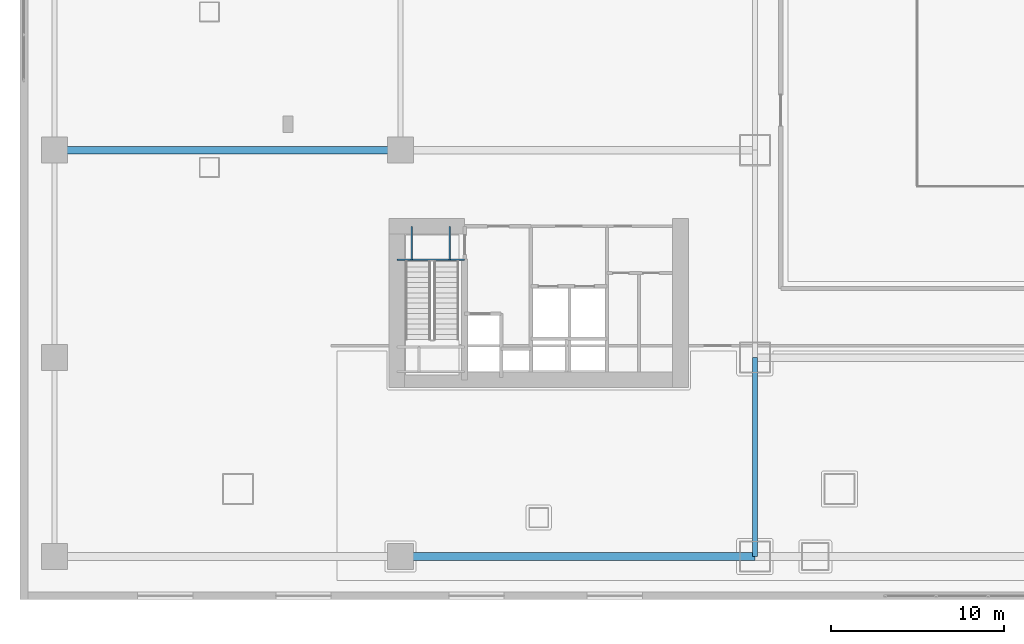
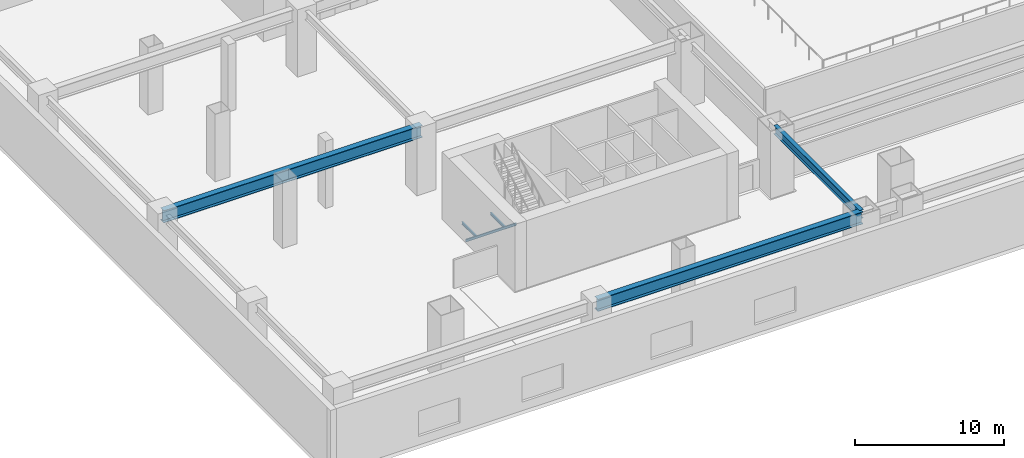
# One storey, part 5 of 35: 6 beams.
"""IFC4 building model written with IfcOpenShell, lengths in metres."""

from ifc_helpers import new_model, si_unit, direction, frame, origin, origin_2d, place, context, subcontext, project, spatial, i_section, extrude, material, material_profile, profile_set, type_object, element, save


model = new_model("IFC4")

# Units and contexts
model_context = context("Model", 3, precision=1e-05, world=origin(), true_north=direction((0.0, 1.0)))
body_context = subcontext(model_context, "Body", "Model", "MODEL_VIEW")
ifc_project = project(units=[si_unit("LENGTHUNIT", "METRE"), si_unit("AREAUNIT", "SQUARE_METRE"), si_unit("VOLUMEUNIT", "CUBIC_METRE"), si_unit("PLANEANGLEUNIT", "RADIAN"), si_unit("MASSUNIT", "GRAM", prefix="KILO")], contexts=[model_context])

# Site, building, storey
site_placement = place(None, origin())
site = spatial("IfcSite", under=ifc_project, at=site_placement, CompositionType="ELEMENT")
building_placement = place(site_placement, origin())
building = spatial("IfcBuilding", under=site, at=building_placement, Name="Qiaolan Cultural Towers", CompositionType="ELEMENT")
storey_placement = place(building_placement, frame((0.0, 0.0, 6.0)))
storey = spatial("IfcBuildingStorey", under=building, at=storey_placement, Name="L01", CompositionType="ELEMENT", Elevation=6.0)

# Beams
ifc_material_1 = material(Name="Steel Q390GJB", Category="steel")
ifc_material_profile_1 = material_profile(ifc_material_1, i_section(OverallWidth=0.449951171875, OverallDepth=1.0, WebThickness=0.02392578125, FlangeThickness=0.0400390625, at=origin_2d()), Name="BH1000x450x24x40")
ifc_profile_set_1 = profile_set([ifc_material_profile_1], Name="Steel Q390GJB")
beam_type_1 = type_object("IfcBeamType", Name="BM-BH1000x450x24x40", PredefinedType="BEAM", material=ifc_profile_set_1)
beam_1_placement = place(storey_placement, frame((22.0, 2.5, 4.699951171875), z_axis=(1.0, 0.0, 0.0), x_axis=(0.0, 1.0, 0.0)))
element("IfcBeam", 1, at=beam_1_placement, inside=storey, type_object=beam_type_1, Name="L01 Podium Primary Girder Y=2.5", PredefinedType="BEAM", context=body_context, shape_type="SweptSolid", body=[
    extrude(i_section(OverallWidth=0.449951171875, OverallDepth=1.0, WebThickness=0.02392578125, FlangeThickness=0.0400390625, at=origin_2d()), origin(), (0.0, 0.0, 1.0), 20.5),
])
beam_2_placement = place(storey_placement, frame((2.0, 26.0, 4.699951171875), z_axis=(1.0, 0.0, 0.0), x_axis=(0.0, 1.0, 0.0)))
element("IfcBeam", 2, at=beam_2_placement, inside=storey, type_object=beam_type_1, Name="L01 Podium Primary Girder Y=26.0", PredefinedType="BEAM", context=body_context, shape_type="SweptSolid", body=[
    extrude(i_section(OverallWidth=0.449951171875, OverallDepth=1.0, WebThickness=0.02392578125, FlangeThickness=0.0400390625, at=origin_2d()), origin(), (0.0, 0.0, 1.0), 20.0),
])
ifc_material_2 = material(Name="Steel Q355B", Category="steel")
ifc_material_profile_2 = material_profile(ifc_material_2, i_section(OverallWidth=0.300048828125, OverallDepth=0.699951171875, WebThickness=0.012939453125, FlangeThickness=0.02392578125, at=origin_2d()), Name="HN700x300x13x24")
ifc_profile_set_2 = profile_set([ifc_material_profile_2], Name="Steel Q355B")
beam_type_2 = type_object("IfcBeamType", Name="BM-HN700x300x13x24", PredefinedType="BEAM", material=ifc_profile_set_2)
beam_3_placement = place(storey_placement, frame((42.5, 2.5, 4.85009765625), z_axis=(0.0, 1.0, 0.0), x_axis=(-1.0, 0.0, 0.0)))
element("IfcBeam", 3, at=beam_3_placement, inside=storey, type_object=beam_type_2, Name="L01 Podium Transverse Beam X=42.5", PredefinedType="BEAM", context=body_context, shape_type="SweptSolid", body=[
    extrude(i_section(OverallWidth=0.300048828125, OverallDepth=0.699951171875, WebThickness=0.012939453125, FlangeThickness=0.02392578125, at=origin_2d()), origin(), (0.0, 0.0, 1.0), 11.5),
])
ifc_material_3 = material(Name="Steel Q355B", Category="steel")
ifc_material_profile_3 = material_profile(ifc_material_3, i_section(OverallWidth=0.10009765625, OverallDepth=0.199951171875, WebThickness=0.005615234375, FlangeThickness=0.008056640625, at=origin_2d()), Name="HN200x100x5.5x8")
ifc_profile_set_3 = profile_set([ifc_material_profile_3], Name="Steel Q355B")
beam_type_3 = type_object("IfcBeamType", Name="BM-STTRIM-200", PredefinedType="BEAM", material=ifc_profile_set_3)
beam_4_placement = place(storey_placement, frame((21.800048828125, 19.659912109375, -0.4599609375), z_axis=(1.0, 0.0, 0.0), x_axis=(0.0, 1.0, 0.0)))
element("IfcBeam", 4, at=beam_4_placement, inside=storey, type_object=beam_type_3, Name="L01 ST-W1 Floor Landing Header Beam", PredefinedType="BEAM", context=body_context, shape_type="SweptSolid", body=[
    extrude(i_section(OverallWidth=0.10009765625, OverallDepth=0.199951171875, WebThickness=0.005615234375, FlangeThickness=0.008056640625, at=origin_2d()), origin(), (0.0, 0.0, 1.0), 3.919921875),
])
for number, where, z_axis, x_axis, name in (
    (5, (22.64990234375, 21.60009765625, -0.4599609375), (0.0, -1.0, 0.0), (1.0, 0.0, 0.0), "L01 ST-W1 Floor Landing Stringer 1"),
    (6, (24.85009765625, 21.60009765625, -0.4599609375), (0.0, -1.0, 0.0), (1.0, 0.0, 0.0), "L01 ST-W1 Floor Landing Stringer 2"),
):
    element("IfcBeam", number, at=place(storey_placement, frame(where, z_axis=z_axis, x_axis=x_axis)), inside=storey, type_object=beam_type_3, Name=name, PredefinedType="BEAM", context=body_context, shape_type="SweptSolid", body=[
        extrude(i_section(OverallWidth=0.10009765625, OverallDepth=0.199951171875, WebThickness=0.005615234375, FlangeThickness=0.008056640625, at=origin_2d()), origin(), (0.0, 0.0, 1.0), 1.940185546875),
    ])

save(model, "model.ifc")
